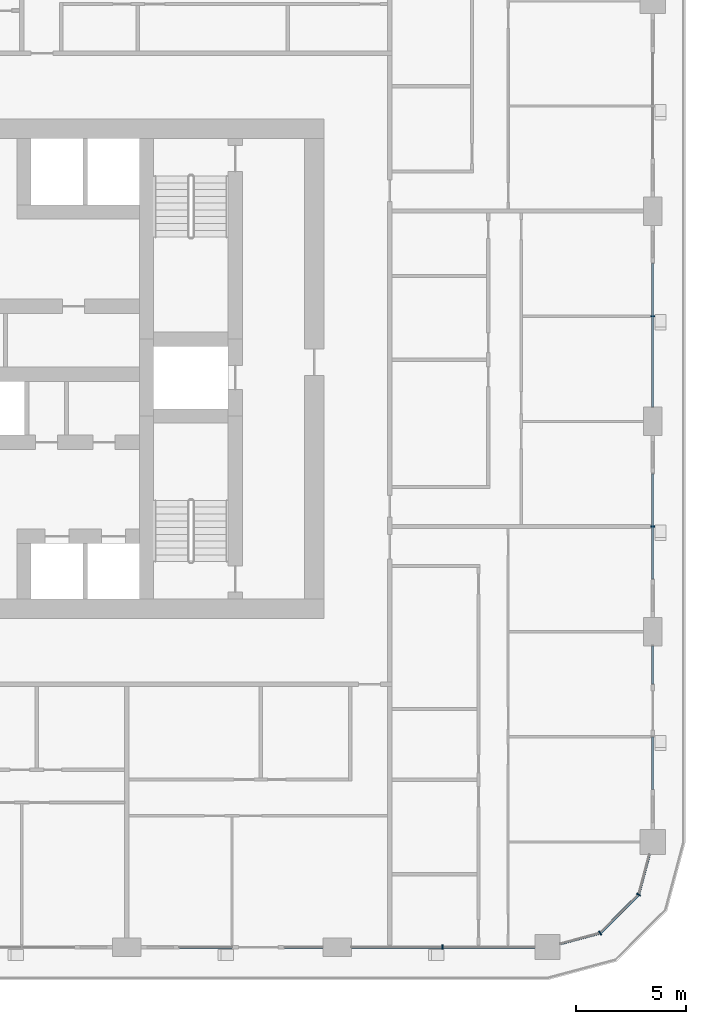
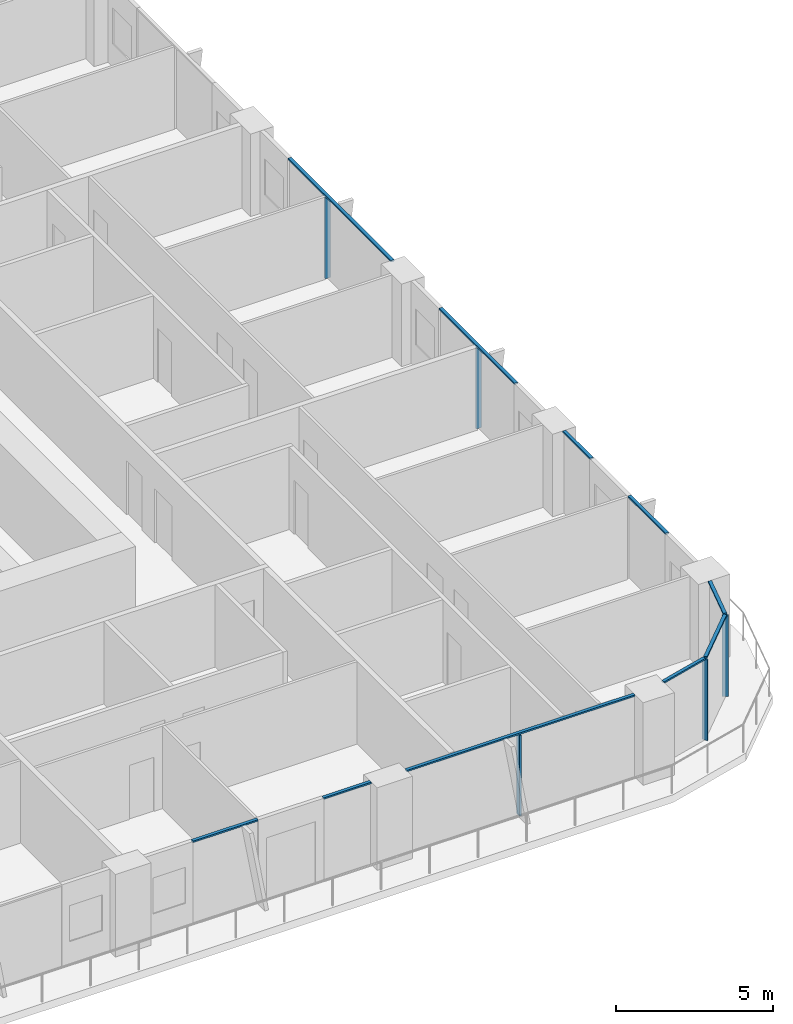
# One storey, part 4 of 22: 15 members, 6 elements without a shape of their own.
"""IFC4 building model written with IfcOpenShell, lengths in metres."""

from ifc_helpers import new_model, si_unit, direction, frame, origin, origin_2d, place, context, subcontext, project, spatial, rectangle, extrude, material, layer, layer_set, material_profile, profile_set, type_object, element, aggregate, save


model = new_model("IFC4")

# Units and contexts
model_context = context("Model", 3, precision=1e-05, world=origin(), true_north=direction((0.0, 1.0)))
body_context = subcontext(model_context, "Body", "Model", "MODEL_VIEW")
ifc_project = project(units=[si_unit("LENGTHUNIT", "METRE"), si_unit("AREAUNIT", "SQUARE_METRE"), si_unit("VOLUMEUNIT", "CUBIC_METRE"), si_unit("PLANEANGLEUNIT", "RADIAN"), si_unit("MASSUNIT", "GRAM", prefix="KILO")], contexts=[model_context])

# Site, building, storey
site_placement = place(None, origin())
site = spatial("IfcSite", under=ifc_project, at=site_placement, CompositionType="ELEMENT")
building_placement = place(site_placement, origin())
building = spatial("IfcBuilding", under=site, at=building_placement, Name="Madar Terraces", CompositionType="ELEMENT")
storey_placement = place(building_placement, frame((0.0, 0.0, 76.800048828125)))
storey = spatial("IfcBuildingStorey", under=building, at=storey_placement, Name="L19", CompositionType="ELEMENT", Elevation=76.800048828125)

# Curtain wall, member
ifc_material_1 = material(Name="Glass, ceramic frit dark grey, with black aluminium frame", Category="aluminium")
ifc_layer = layer(ifc_material_1, 0.199951171875)
ifc_layer_set = layer_set([ifc_layer], Name="Facade curtain wall, fritted glass")
curtain_wall_type = type_object("IfcCurtainWallType", Name="Facade curtain wall, fritted glass", PredefinedType="NOTDEFINED", material=ifc_layer_set)
curtain_wall_1_placement = place(storey_placement, origin())
curtain_wall_1 = element("IfcCurtainWall", 1, at=curtain_wall_1_placement, inside=storey, type_object=curtain_wall_type, Name="Outer skin curtain wall south bay 5", PredefinedType="NOTDEFINED")
ifc_material_2 = material(Name="Aluminium, black anodised", Category="aluminium")
ifc_material_profile_1 = material_profile(ifc_material_2, rectangle(XDim=0.199951171875, YDim=0.06005859375, at=origin_2d()), Name="Facade mullion 60x200")
ifc_profile_set_1 = profile_set([ifc_material_profile_1], Name="Aluminium, black anodised")
member_type_1 = type_object("IfcMemberType", Name="Facade mullion 60x200", PredefinedType="MULLION", material=ifc_profile_set_1)
member_1_placement = place(storey_placement, frame((52.800048828125, 0.0, 0.0), z_axis=(0.0, 0.0, 1.0), x_axis=(0.0, 1.0, 0.0)))
member_1 = element("IfcMember", 2, at=member_1_placement, type_object=member_type_1, Name="Mullion 1", PredefinedType="MULLION", context=body_context, shape_type="SweptSolid", body=[
    extrude(rectangle(XDim=0.199951171875, YDim=0.06005859375, at=origin_2d()), origin(), (0.0, 0.0, 1.0), 3.139892578125),
])

curtain_wall_2_placement = place(storey_placement, origin())
curtain_wall_2 = element("IfcCurtainWall", 3, at=curtain_wall_2_placement, inside=storey, type_object=curtain_wall_type, Name="Outer skin curtain wall east bay 2", PredefinedType="NOTDEFINED")
member_2_placement = place(storey_placement, frame((62.39990234375, 19.199951171875, 0.0), z_axis=(0.0, 0.0, 1.0), x_axis=(-1.0, 0.0, 0.0)))
member_2 = element("IfcMember", 4, at=member_2_placement, type_object=member_type_1, Name="Mullion 1", PredefinedType="MULLION", context=body_context, shape_type="SweptSolid", body=[
    extrude(rectangle(XDim=0.199951171875, YDim=0.06005859375, at=origin_2d()), origin(), (0.0, 0.0, 1.0), 3.139892578125),
])

curtain_wall_3_placement = place(storey_placement, origin())
curtain_wall_3 = element("IfcCurtainWall", 5, at=curtain_wall_3_placement, inside=storey, type_object=curtain_wall_type, Name="Outer skin curtain wall east bay 3", PredefinedType="NOTDEFINED")
member_3_placement = place(storey_placement, frame((62.39990234375, 28.800048828125, 0.0), z_axis=(0.0, 0.0, 1.0), x_axis=(-1.0, 0.0, 0.0)))
member_3 = element("IfcMember", 6, at=member_3_placement, type_object=member_type_1, Name="Mullion 1", PredefinedType="MULLION", context=body_context, shape_type="SweptSolid", body=[
    extrude(rectangle(XDim=0.199951171875, YDim=0.06005859375, at=origin_2d()), origin(), (0.0, 0.0, 1.0), 3.139892578125),
])

# Curtain wall, members
curtain_wall_4_placement = place(storey_placement, origin())
curtain_wall_4 = element("IfcCurtainWall", 7, at=curtain_wall_4_placement, inside=storey, type_object=curtain_wall_type, Name="Outer skin curtain wall south-east corner", PredefinedType="NOTDEFINED")
member_4_placement = place(storey_placement, frame((60.0, 0.64306640625, 0.0), z_axis=(0.0, 0.0, 1.0), x_axis=(-0.499999989586, 0.866025409797, 0.0)))
member_4 = element("IfcMember", 8, at=member_4_placement, type_object=member_type_1, Name="Mullion 1", PredefinedType="MULLION", context=body_context, shape_type="SweptSolid", body=[
    extrude(rectangle(XDim=0.199951171875, YDim=0.06005859375, at=origin_2d()), origin(), (0.0, 0.0, 1.0), 3.139892578125),
])
member_5_placement = place(storey_placement, frame((61.7568359375, 2.39990234375, 0.0), z_axis=(0.0, 0.0, 1.0), x_axis=(-0.866025409797, 0.499999989586, 0.0)))
member_5 = element("IfcMember", 9, at=member_5_placement, type_object=member_type_1, Name="Mullion 2", PredefinedType="MULLION", context=body_context, shape_type="SweptSolid", body=[
    extrude(rectangle(XDim=0.199951171875, YDim=0.06005859375, at=origin_2d()), origin(), (0.0, 0.0, 1.0), 3.139892578125),
])

curtain_wall_5_placement = place(storey_placement, origin())
curtain_wall_5 = element("IfcCurtainWall", 10, at=curtain_wall_5_placement, inside=storey, type_object=curtain_wall_type, Name="Outer skin curtain wall south bay 4", PredefinedType="NOTDEFINED")
ifc_material_3 = material(Name="Aluminium, black anodised", Category="aluminium")
ifc_material_profile_2 = material_profile(ifc_material_3, rectangle(XDim=0.1201171875, YDim=0.06005859375, at=origin_2d()), Name="Facade transom 60x120")
ifc_profile_set_2 = profile_set([ifc_material_profile_2], Name="Aluminium, black anodised")
member_type_2 = type_object("IfcMemberType", Name="Facade transom 60x120", PredefinedType="USERDEFINED", material=ifc_profile_set_2)
member_6_placement = place(storey_placement, frame((40.800048828125, 0.0, 3.169921875), z_axis=(1.0, 0.0, 0.0), x_axis=(0.0, 1.0, 0.0)))
member_6 = element("IfcMember", 11, at=member_6_placement, type_object=member_type_2, Name="Transom 1", ObjectType="TRANSOM", PredefinedType="USERDEFINED", context=body_context, shape_type="SweptSolid", body=[
    extrude(rectangle(XDim=0.1201171875, YDim=0.06005859375, at=origin_2d()), origin(), (0.0, 0.0, 1.0), 2.39990234375),
])
member_7_placement = place(storey_placement, frame((45.60009765625, 0.0, 3.169921875), z_axis=(1.0, 0.0, 0.0), x_axis=(0.0, 1.0, 0.0)))
member_7 = element("IfcMember", 12, at=member_7_placement, type_object=member_type_2, Name="Transom 2", ObjectType="TRANSOM", PredefinedType="USERDEFINED", context=body_context, shape_type="SweptSolid", body=[
    extrude(rectangle(XDim=0.1201171875, YDim=0.06005859375, at=origin_2d()), origin(), (0.0, 0.0, 1.0), 1.75),
])
aggregate(curtain_wall_5, [member_6, member_7])

# Member
member_8_placement = place(storey_placement, frame((48.64990234375, 0.0, 3.169921875), z_axis=(1.0, 0.0, 0.0), x_axis=(0.0, 1.0, 0.0)))
member_8 = element("IfcMember", 13, at=member_8_placement, type_object=member_type_2, Name="Transom 1", ObjectType="TRANSOM", PredefinedType="USERDEFINED", context=body_context, shape_type="SweptSolid", body=[
    extrude(rectangle(XDim=0.1201171875, YDim=0.06005859375, at=origin_2d()), origin(), (0.0, 0.0, 1.0), 8.375),
])

aggregate(curtain_wall_1, [member_1, member_8])

# Curtain wall, members
curtain_wall_6_placement = place(storey_placement, origin())
curtain_wall_6 = element("IfcCurtainWall", 14, at=curtain_wall_6_placement, inside=storey, type_object=curtain_wall_type, Name="Outer skin curtain wall east bay 1", PredefinedType="NOTDEFINED")
member_9_placement = place(storey_placement, frame((62.39990234375, 7.199951171875, 3.169921875), z_axis=(0.0, 1.0, 0.0), x_axis=(-1.0, 0.0, 0.0)))
member_9 = element("IfcMember", 15, at=member_9_placement, type_object=member_type_2, Name="Transom 1", ObjectType="TRANSOM", PredefinedType="USERDEFINED", context=body_context, shape_type="SweptSolid", body=[
    extrude(rectangle(XDim=0.1201171875, YDim=0.06005859375, at=origin_2d()), origin(), (0.0, 0.0, 1.0), 2.400146484375),
])
member_10_placement = place(storey_placement, frame((62.39990234375, 12.0, 3.169921875), z_axis=(0.0, 1.0, 0.0), x_axis=(-1.0, 0.0, 0.0)))
member_10 = element("IfcMember", 16, at=member_10_placement, type_object=member_type_2, Name="Transom 2", ObjectType="TRANSOM", PredefinedType="USERDEFINED", context=body_context, shape_type="SweptSolid", body=[
    extrude(rectangle(XDim=0.1201171875, YDim=0.06005859375, at=origin_2d()), origin(), (0.0, 0.0, 1.0), 1.75),
])
aggregate(curtain_wall_6, [member_9, member_10])

# Member
member_11_placement = place(storey_placement, frame((62.39990234375, 16.800048828125, 3.169921875), z_axis=(0.0, 1.0, 0.0), x_axis=(-1.0, 0.0, 0.0)))
member_11 = element("IfcMember", 17, at=member_11_placement, type_object=member_type_2, Name="Transom 1", ObjectType="TRANSOM", PredefinedType="USERDEFINED", context=body_context, shape_type="SweptSolid", body=[
    extrude(rectangle(XDim=0.1201171875, YDim=0.06005859375, at=origin_2d()), origin(), (0.0, 0.0, 1.0), 4.800048828125),
])

aggregate(curtain_wall_2, [member_2, member_11])

member_12_placement = place(storey_placement, frame((62.39990234375, 24.64990234375, 3.169921875), z_axis=(0.0, 1.0, 0.0), x_axis=(-1.0, 0.0, 0.0)))
member_12 = element("IfcMember", 18, at=member_12_placement, type_object=member_type_2, Name="Transom 1", ObjectType="TRANSOM", PredefinedType="USERDEFINED", context=body_context, shape_type="SweptSolid", body=[
    extrude(rectangle(XDim=0.1201171875, YDim=0.06005859375, at=origin_2d()), origin(), (0.0, 0.0, 1.0), 6.550048828125),
])

aggregate(curtain_wall_3, [member_3, member_12])

member_13_placement = place(storey_placement, frame((58.175048828125, 0.154052734375, 3.169921875), z_axis=(0.965926950947, 0.258814847786, 0.0), x_axis=(-0.258814847786, 0.965926950947, 0.0)))
member_13 = element("IfcMember", 19, at=member_13_placement, type_object=member_type_2, Name="Transom 1", ObjectType="TRANSOM", PredefinedType="USERDEFINED", context=body_context, shape_type="SweptSolid", body=[
    extrude(rectangle(XDim=0.1201171875, YDim=0.06005859375, at=origin_2d()), origin(), (0.0, 0.0, 1.0), 1.859130859375),
])

member_14_placement = place(storey_placement, frame((60.021240234375, 0.664306640625, 3.169921875), z_axis=(0.707056433593, 0.707157125196, 0.0), x_axis=(-0.707157125196, 0.707056433593, 0.0)))
member_14 = element("IfcMember", 20, at=member_14_placement, type_object=member_type_2, Name="Transom 2", ObjectType="TRANSOM", PredefinedType="USERDEFINED", context=body_context, shape_type="SweptSolid", body=[
    extrude(rectangle(XDim=0.1201171875, YDim=0.06005859375, at=origin_2d()), origin(), (0.0, 0.0, 1.0), 2.424560546875),
])

member_15_placement = place(storey_placement, frame((61.7646484375, 2.428955078125, 3.169921875), z_axis=(0.258782024434, 0.965935745187, 0.0), x_axis=(-0.965935745187, 0.258782024434, 0.0)))
member_15 = element("IfcMember", 21, at=member_15_placement, type_object=member_type_2, Name="Transom 3", ObjectType="TRANSOM", PredefinedType="USERDEFINED", context=body_context, shape_type="SweptSolid", body=[
    extrude(rectangle(XDim=0.1201171875, YDim=0.06005859375, at=origin_2d()), origin(), (0.0, 0.0, 1.0), 1.859375),
])

aggregate(curtain_wall_4, [member_4, member_13, member_5, member_14, member_15])

save(model, "model.ifc")
